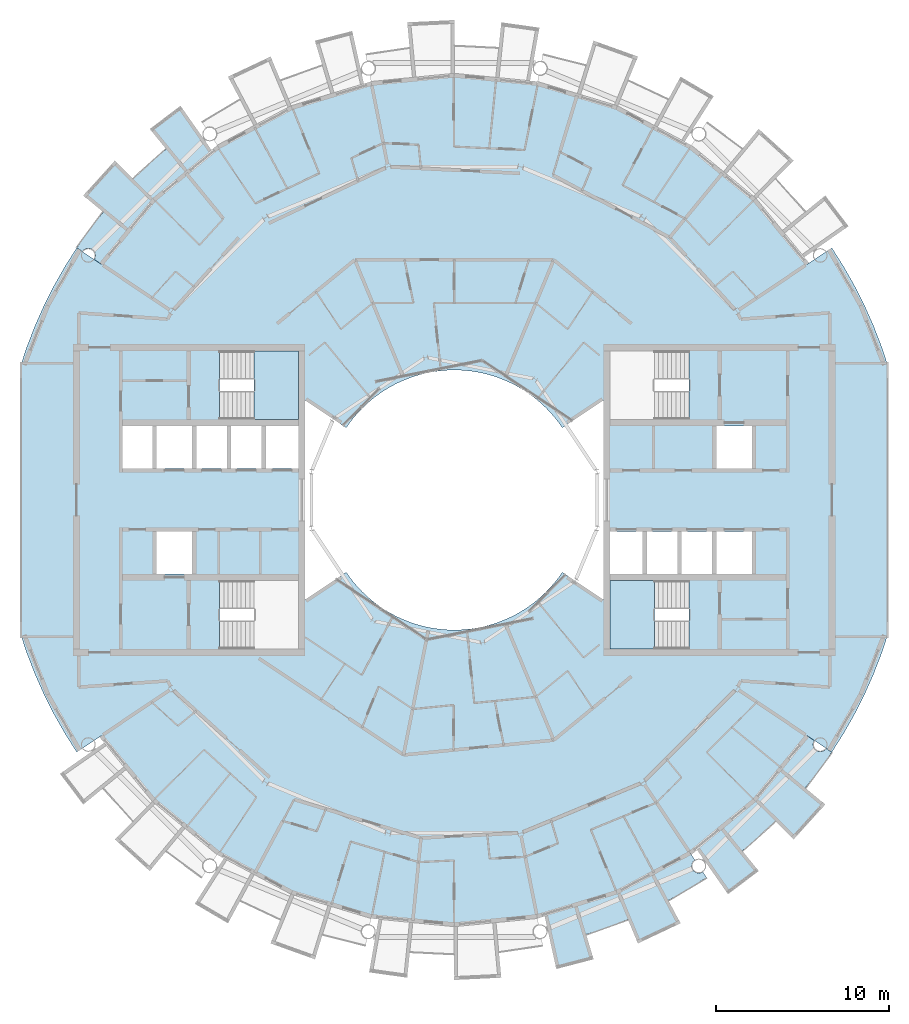
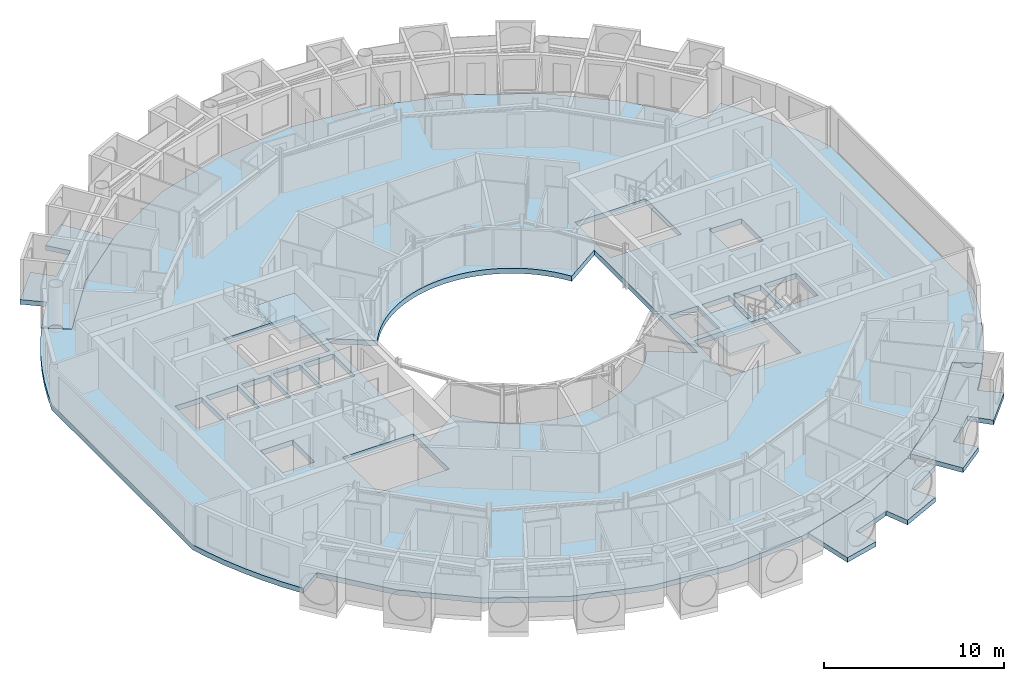
# One storey, part 11 of 27: 6 slabs, 2 elements without a shape of their own.
"""IFC4 building model written with IfcOpenShell, lengths in metres."""

from ifc_helpers import new_model, si_unit, direction, frame, origin, place, context, subcontext, project, spatial, polyline, outline, extrude, material, layer, layer_set, type_object, element, aggregate, save


model = new_model("IFC4")

# Units and contexts
model_context = context("Model", 3, precision=1e-05, world=origin(), true_north=direction((0.0, 1.0)))
body_context = subcontext(model_context, "Body", "Model", "MODEL_VIEW")
ifc_project = project(units=[si_unit("LENGTHUNIT", "METRE"), si_unit("AREAUNIT", "SQUARE_METRE"), si_unit("VOLUMEUNIT", "CUBIC_METRE"), si_unit("PLANEANGLEUNIT", "RADIAN"), si_unit("MASSUNIT", "GRAM", prefix="KILO")], contexts=[model_context])

# Site, building, storey
site_placement = place(None, origin())
site = spatial("IfcSite", under=ifc_project, at=site_placement, CompositionType="ELEMENT")
building_placement = place(site_placement, origin())
building = spatial("IfcBuilding", under=site, at=building_placement, Name="Maasbend Ring Residences", CompositionType="ELEMENT")
storey_placement = place(building_placement, frame((0.0, 0.0, 240.14990234375)))
storey = spatial("IfcBuildingStorey", under=building, at=storey_placement, Name="L69", CompositionType="ELEMENT", Elevation=240.14990234375)

# Stair, slab
ifc_material_1 = material(Name="Concrete C40/50", Category="concrete")
stair_type = type_object("IfcStairType", Name="CORE STAIR 18 RISERS", PredefinedType="HALF_TURN_STAIR", material=ifc_material_1)
stair_1_placement = place(storey_placement, origin())
stair_1 = element("IfcStair", 1, at=stair_1_placement, inside=storey, type_object=stair_type, Name="L69 Exit stair ST-E2", PredefinedType="HALF_TURN_STAIR")
ifc_material_2 = material(Name="Concrete C40/50", Category="concrete")
ifc_layer_1 = layer(ifc_material_2, 0.199951171875)
ifc_layer_set_1 = layer_set([ifc_layer_1], Name="Concrete C40/50")
slab_type_1 = type_object("IfcSlabType", Name="CORE STAIR LANDING 200", PredefinedType="LANDING", material=ifc_layer_set_1)
slab_1_placement = place(storey_placement, frame((0.0, 0.0, 1.3251953125)))
slab_1 = element("IfcSlab", 2, at=slab_1_placement, type_object=slab_type_1, Name="ST-E2 landing 1", PredefinedType="LANDING", context=body_context, shape_type="SweptSolid", body=[
    extrude(outline(polyline([(11.550048828125, -4.64990234375), (9.0, -4.64990234375), (9.0, -8.60009765625), (11.550048828125, -8.60009765625), (11.550048828125, -4.64990234375)])), origin(), (0.0, 0.0, 1.0), 0.199951171875),
])
aggregate(stair_1, [slab_1])

stair_2_placement = place(storey_placement, origin())
stair_2 = element("IfcStair", 3, at=stair_2_placement, inside=storey, type_object=stair_type, Name="L69 Exit stair ST-W2", PredefinedType="HALF_TURN_STAIR")
slab_2_placement = place(storey_placement, frame((0.0, 0.0, 1.3251953125)))
slab_2 = element("IfcSlab", 4, at=slab_2_placement, type_object=slab_type_1, Name="ST-W2 landing 1", PredefinedType="LANDING", context=body_context, shape_type="SweptSolid", body=[
    extrude(outline(polyline([(-11.550048828125, 4.64990234375), (-9.0, 4.64990234375), (-9.0, 8.60009765625), (-11.550048828125, 8.60009765625), (-11.550048828125, 4.64990234375)])), origin(), (0.0, 0.0, 1.0), 0.199951171875),
])
aggregate(stair_2, [slab_2])

# Slabs
ifc_material_3 = material(Name="Concrete C40/50", Category="concrete")
ifc_layer_2 = layer(ifc_material_3, 0.35009765625)
ifc_layer_set_2 = layer_set([ifc_layer_2], Name="Concrete C40/50")
slab_type_2 = type_object("IfcSlabType", Name="Post-tensioned flat plate 350", PredefinedType="FLOOR", material=ifc_layer_set_2)
slab_3_placement = place(storey_placement, frame((0.0, 0.0, -0.349853515625)))
element("IfcSlab", 5, at=slab_3_placement, inside=storey, type_object=slab_type_2, Name="Floor slab L69", PredefinedType="FLOOR", context=body_context, shape_type="SweptSolid", body=[
    extrude(outline(polyline([(21.784423828125, -14.555908203125), (22.472412109375, -13.469482421875), (23.106201171875, -12.3505859375), (23.6845703125, -11.201904296875), (24.20556640625, -10.0263671875), (24.66845703125, -8.826416015625), (25.0, -7.822998046875), (25.0, 7.822998046875), (24.66845703125, 8.826416015625), (24.20556640625, 10.0263671875), (23.6845703125, 11.201904296875), (23.106201171875, 12.3505859375), (22.472412109375, 13.469482421875), (21.784423828125, 14.555908203125), (20.37109375, 13.611572265625), (17.32421875, 17.32421875), (13.611572265625, 20.37109375), (9.375732421875, 22.635009765625), (4.77978515625, 24.029296875), (0.0, 24.5), (-4.77978515625, 24.029296875), (-9.375732421875, 22.635009765625), (-13.611572265625, 20.37109375), (-17.32421875, 17.32421875), (-20.37109375, 13.611572265625), (-21.784423828125, 14.555908203125), (-22.472412109375, 13.469482421875), (-23.106201171875, 12.3505859375), (-23.6845703125, 11.201904296875), (-24.20556640625, 10.0263671875), (-24.66845703125, 8.826416015625), (-25.0, 7.822998046875), (-25.0, -7.822998046875), (-24.66845703125, -8.826416015625), (-24.20556640625, -10.0263671875), (-23.6845703125, -11.201904296875), (-23.106201171875, -12.3505859375), (-22.472412109375, -13.469482421875), (-21.784423828125, -14.555908203125), (-20.37109375, -13.611572265625), (-17.32421875, -17.32421875), (-13.611572265625, -20.37109375), (-13.611572265625, -20.37109375), (-9.375732421875, -22.635009765625), (-9.375732421875, -22.635009765625), (-4.77978515625, -24.029296875), (-4.77978515625, -24.029296875), (0.0, -24.5), (4.77978515625, -24.029296875), (4.77978515625, -24.029296875), (9.375732421875, -22.635009765625), (9.375732421875, -22.635009765625), (13.611572265625, -20.37109375), (13.611572265625, -20.37109375), (17.32421875, -17.32421875), (17.32421875, -17.32421875), (20.37109375, -13.611572265625), (21.784423828125, -14.555908203125)]), holes=[polyline([(15.125, 1.824951171875), (15.125, 4.27490234375), (17.175048828125, 4.27490234375), (17.175048828125, 1.824951171875), (15.125, 1.824951171875)]), polyline([(15.125, -4.27490234375), (15.125, -1.824951171875), (17.175048828125, -1.824951171875), (17.175048828125, -4.27490234375), (15.125, -4.27490234375)]), polyline([(13.125, -4.27490234375), (13.125, -1.824951171875), (14.875, -1.824951171875), (14.875, -4.27490234375), (13.125, -4.27490234375)]), polyline([(13.550048828125, 8.60009765625), (13.550048828125, 4.64990234375), (9.0, 4.64990234375), (9.0, 8.60009765625), (13.550048828125, 8.60009765625)]), polyline([(13.550048828125, -4.64990234375), (13.550048828125, -8.60009765625), (9.0, -8.60009765625), (9.0, -4.64990234375), (13.550048828125, -4.64990234375)]), polyline([(11.125, -4.27490234375), (11.125, -1.824951171875), (12.875, -1.824951171875), (12.875, -4.27490234375), (11.125, -4.27490234375)]), polyline([(9.0, -4.27490234375), (9.0, -1.824951171875), (10.875, -1.824951171875), (10.875, -4.27490234375), (9.0, -4.27490234375)]), polyline([(6.024169921875, 4.4677734375), (6.236083984375, 4.166748046875), (8.60009765625, 5.746337890625), (8.60009765625, -5.746337890625), (6.236083984375, -4.166748046875), (6.024169921875, -4.4677734375), (5.797607421875, -4.7578125), (5.55712890625, -5.03662109375), (5.30322265625, -5.30322265625), (5.03662109375, -5.55712890625), (4.7578125, -5.797607421875), (4.4677734375, -6.024169921875), (4.166748046875, -6.236083984375), (3.855712890625, -6.43310546875), (3.535400390625, -6.614501953125), (3.206787109375, -6.77978515625), (2.8701171875, -6.92919921875), (2.526611328125, -7.0615234375), (2.177001953125, -7.177001953125), (1.822509765625, -7.275146484375), (1.463134765625, -7.35595703125), (1.1005859375, -7.418701171875), (0.735107421875, -7.4638671875), (0.367919921875, -7.490966796875), (0.0, -7.5), (-0.367919921875, -7.490966796875), (-0.735107421875, -7.4638671875), (-1.1005859375, -7.418701171875), (-1.463134765625, -7.35595703125), (-1.822509765625, -7.275146484375), (-2.177001953125, -7.177001953125), (-2.526611328125, -7.0615234375), (-2.8701171875, -6.92919921875), (-3.206787109375, -6.77978515625), (-3.535400390625, -6.614501953125), (-3.855712890625, -6.43310546875), (-4.166748046875, -6.236083984375), (-4.4677734375, -6.024169921875), (-4.7578125, -5.797607421875), (-5.03662109375, -5.55712890625), (-5.30322265625, -5.30322265625), (-5.55712890625, -5.03662109375), (-5.797607421875, -4.7578125), (-6.024169921875, -4.4677734375), (-6.236083984375, -4.166748046875), (-8.60009765625, -5.746337890625), (-8.60009765625, 5.746337890625), (-6.236083984375, 4.166748046875), (-6.024169921875, 4.4677734375), (-5.797607421875, 4.7578125), (-5.55712890625, 5.03662109375), (-5.30322265625, 5.30322265625), (-5.03662109375, 5.55712890625), (-4.7578125, 5.797607421875), (-4.4677734375, 6.024169921875), (-4.166748046875, 6.236083984375), (-3.855712890625, 6.43310546875), (-3.535400390625, 6.614501953125), (-3.206787109375, 6.77978515625), (-2.8701171875, 6.92919921875), (-2.526611328125, 7.0615234375), (-2.177001953125, 7.177001953125), (-1.822509765625, 7.275146484375), (-1.463134765625, 7.35595703125), (-1.1005859375, 7.418701171875), (-0.735107421875, 7.4638671875), (-0.367919921875, 7.490966796875), (0.0, 7.5), (0.367919921875, 7.490966796875), (0.735107421875, 7.4638671875), (1.1005859375, 7.418701171875), (1.463134765625, 7.35595703125), (1.822509765625, 7.275146484375), (2.177001953125, 7.177001953125), (2.526611328125, 7.0615234375), (2.8701171875, 6.92919921875), (3.206787109375, 6.77978515625), (3.535400390625, 6.614501953125), (3.855712890625, 6.43310546875), (4.166748046875, 6.236083984375), (4.4677734375, 6.024169921875), (4.7578125, 5.797607421875), (5.03662109375, 5.55712890625), (5.30322265625, 5.30322265625), (5.55712890625, 5.03662109375), (5.797607421875, 4.7578125), (6.024169921875, 4.4677734375)]), polyline([(-13.550048828125, 4.64990234375), (-13.550048828125, 8.60009765625), (-9.0, 8.60009765625), (-9.0, 4.64990234375), (-13.550048828125, 4.64990234375)]), polyline([(-9.0, -8.60009765625), (-13.550048828125, -8.60009765625), (-13.550048828125, -4.64990234375), (-9.0, -4.64990234375), (-9.0, -8.60009765625)]), polyline([(-9.0, 4.27490234375), (-9.0, 1.824951171875), (-10.875, 1.824951171875), (-10.875, 4.27490234375), (-9.0, 4.27490234375)]), polyline([(-11.125, 4.27490234375), (-11.125, 1.824951171875), (-12.875, 1.824951171875), (-12.875, 4.27490234375), (-11.125, 4.27490234375)]), polyline([(-13.125, 4.27490234375), (-13.125, 1.824951171875), (-14.875, 1.824951171875), (-14.875, 4.27490234375), (-13.125, 4.27490234375)]), polyline([(-15.125, 4.27490234375), (-15.125, 1.824951171875), (-17.175048828125, 1.824951171875), (-17.175048828125, 4.27490234375), (-15.125, 4.27490234375)]), polyline([(-15.125, -1.824951171875), (-15.125, -4.27490234375), (-17.175048828125, -4.27490234375), (-17.175048828125, -1.824951171875), (-15.125, -1.824951171875)]), polyline([(-17.425048828125, 4.27490234375), (-17.425048828125, 1.824951171875), (-19.14990234375, 1.824951171875), (-19.14990234375, 4.27490234375), (-17.425048828125, 4.27490234375)])]), origin(), (0.0, 0.0, 1.0), 0.349853515625),
])
ifc_material_4 = material(Name="Concrete C40/50", Category="concrete")
ifc_layer_3 = layer(ifc_material_4, 0.199951171875)
ifc_layer_set_3 = layer_set([ifc_layer_3], Name="Concrete C40/50")
slab_type_3 = type_object("IfcSlabType", Name="SL-LOGGIA", PredefinedType="FLOOR", material=ifc_layer_set_3)
slab_4_placement = place(storey_placement, frame((0.0, 0.0, -0.349853515625)))
element("IfcSlab", 6, at=slab_4_placement, inside=storey, type_object=slab_type_3, Name="Loggia floor 5", PredefinedType="FLOOR", context=body_context, shape_type="SweptSolid", body=[
    extrude(outline(polyline([(-20.785888671875, 15.949951171875), (-20.2529296875, 16.62109375), (-20.2529296875, 16.62109375), (-20.2529296875, 16.62109375), (-20.2529296875, 16.62109375), (-20.2529296875, 16.62109375), (-20.2529296875, 16.62109375), (-20.2529296875, 16.62109375), (-20.2529296875, 16.62109375), (-20.2529296875, 16.62109375), (-20.2529296875, 16.62109375), (-20.2529296875, 16.62109375), (-20.2529296875, 16.62109375), (-20.2529296875, 16.62109375), (-20.2529296875, 16.62109375), (-20.2529296875, 16.62109375), (-20.2529296875, 16.62109375), (-20.2529296875, 16.62109375), (-21.412109375, 17.572998046875), (-19.5869140625, 19.5869140625), (-18.527099609375, 18.527099609375), (-18.527099609375, 18.527099609375), (-18.52587890625, 18.52587890625), (-18.52587890625, 18.52587890625), (-18.52587890625, 18.52587890625), (-18.52587890625, 18.52587890625), (-18.52587890625, 18.52587890625), (-18.52587890625, 18.52587890625), (-18.52587890625, 18.52587890625), (-18.52587890625, 18.52587890625), (-18.52587890625, 18.52587890625), (-18.52587890625, 18.52587890625), (-18.52587890625, 18.52587890625), (-18.52587890625, 18.52587890625), (-18.52587890625, 18.52587890625), (-18.52587890625, 18.527099609375), (-18.52587890625, 18.527099609375), (-17.909912109375, 19.1220703125), (-17.27490234375, 19.697998046875), (-16.62109375, 20.2529296875), (-16.62109375, 20.2529296875), (-16.62109375, 20.2529296875), (-16.62109375, 20.2529296875), (-16.62109375, 20.2529296875), (-16.62109375, 20.2529296875), (-16.62109375, 20.2529296875), (-16.62109375, 20.2529296875), (-16.62109375, 20.2529296875), (-16.62109375, 20.2529296875), (-16.62109375, 20.2529296875), (-16.62109375, 20.2529296875), (-16.62109375, 20.2529296875), (-16.62109375, 20.2529296875), (-16.62109375, 20.2529296875), (-16.62109375, 20.2529296875), (-16.62109375, 20.2529296875), (-17.572998046875, 21.412109375), (-15.800048828125, 22.751953125), (-13.952880859375, 20.091064453125), (-15.468017578125, 18.847900390625), (-17.323974609375, 17.323974609375), (-17.323974609375, 17.323974609375), (-17.323974609375, 17.323974609375), (-18.847900390625, 15.468017578125), (-20.37109375, 13.611083984375), (-20.781005859375, 13.885986328125), (-20.77587890625, 13.89404296875), (-20.77099609375, 13.903076171875), (-20.76611328125, 13.910888671875), (-20.760986328125, 13.919921875), (-20.756103515625, 13.928955078125), (-20.751953125, 13.93798828125), (-20.748046875, 13.947021484375), (-20.743896484375, 13.9560546875), (-20.739990234375, 13.965087890625), (-20.737060546875, 13.97509765625), (-20.73291015625, 13.98388671875), (-20.72998046875, 13.992919921875), (-20.72802734375, 14.0029296875), (-20.72509765625, 14.012939453125), (-20.722900390625, 14.02197265625), (-20.720947265625, 14.031982421875), (-20.718994140625, 14.0419921875), (-20.717041015625, 14.052001953125), (-20.716064453125, 14.06201171875), (-20.715087890625, 14.072021484375), (-20.714111328125, 14.08203125), (-20.712890625, 14.092041015625), (-20.712890625, 14.10205078125), (-20.712890625, 14.111083984375), (-20.712890625, 14.12109375), (-20.712890625, 14.131103515625), (-20.714111328125, 14.14111328125), (-20.715087890625, 14.15087890625), (-20.716064453125, 14.160888671875), (-20.717041015625, 14.1708984375), (-20.718994140625, 14.180908203125), (-20.720947265625, 14.19091796875), (-20.722900390625, 14.200927734375), (-20.72509765625, 14.2099609375), (-20.72802734375, 14.219970703125), (-20.72998046875, 14.22998046875), (-20.73291015625, 14.239013671875), (-20.737060546875, 14.248046875), (-20.739990234375, 14.258056640625), (-20.743896484375, 14.26708984375), (-20.748046875, 14.27587890625), (-20.751953125, 14.284912109375), (-20.756103515625, 14.2939453125), (-20.760986328125, 14.302978515625), (-20.76611328125, 14.31201171875), (-20.77099609375, 14.320068359375), (-20.77587890625, 14.3291015625), (-20.781005859375, 14.3369140625), (-20.787109375, 14.345947265625), (-20.79296875, 14.35400390625), (-20.799072265625, 14.362060546875), (-20.804931640625, 14.368896484375), (-20.81103515625, 14.376953125), (-20.818115234375, 14.384033203125), (-20.824951171875, 14.39208984375), (-20.83203125, 14.39892578125), (-20.839111328125, 14.406005859375), (-20.845947265625, 14.4130859375), (-20.85400390625, 14.4189453125), (-20.861083984375, 14.426025390625), (-20.868896484375, 14.431884765625), (-20.876953125, 14.43798828125), (-20.885009765625, 14.444091796875), (-20.89306640625, 14.448974609375), (-20.902099609375, 14.455078125), (-20.909912109375, 14.4599609375), (-20.9189453125, 14.465087890625), (-20.927978515625, 14.469970703125), (-20.93701171875, 14.47509765625), (-20.945068359375, 14.47900390625), (-20.955078125, 14.48291015625), (-20.964111328125, 14.487060546875), (-20.972900390625, 14.490966796875), (-20.98193359375, 14.493896484375), (-20.991943359375, 14.4970703125), (-21.0009765625, 14.5), (-21.010986328125, 14.5029296875), (-21.02099609375, 14.506103515625), (-21.030029296875, 14.508056640625), (-21.0400390625, 14.510009765625), (-21.050048828125, 14.511962890625), (-21.06005859375, 14.513916015625), (-21.070068359375, 14.514892578125), (-21.0791015625, 14.51611328125), (-21.089111328125, 14.51708984375), (-21.09912109375, 14.51806640625), (-21.10888671875, 14.51806640625), (-21.118896484375, 14.51806640625), (-21.12890625, 14.51806640625), (-21.138916015625, 14.51806640625), (-21.14892578125, 14.51708984375), (-21.158935546875, 14.51611328125), (-21.1689453125, 14.514892578125), (-21.178955078125, 14.513916015625), (-21.18896484375, 14.511962890625), (-21.198974609375, 14.510009765625), (-21.2080078125, 14.508056640625), (-21.218017578125, 14.506103515625), (-21.22802734375, 14.5029296875), (-21.237060546875, 14.5), (-21.2470703125, 14.4970703125), (-21.256103515625, 14.493896484375), (-21.26611328125, 14.490966796875), (-21.27490234375, 14.487060546875), (-21.283935546875, 14.48291015625), (-21.29296875, 14.47900390625), (-21.302001953125, 14.47509765625), (-21.31103515625, 14.469970703125), (-21.320068359375, 14.465087890625), (-21.327880859375, 14.4599609375), (-21.3369140625, 14.455078125), (-21.344970703125, 14.448974609375), (-21.35302734375, 14.444091796875), (-21.361083984375, 14.43798828125), (-21.368896484375, 14.431884765625), (-21.376953125, 14.426025390625), (-21.385009765625, 14.4189453125), (-21.39208984375, 14.4130859375), (-21.39990234375, 14.406005859375), (-21.406982421875, 14.39892578125), (-21.4140625, 14.39208984375), (-21.419921875, 14.384033203125), (-21.427001953125, 14.376953125), (-21.43408203125, 14.368896484375), (-21.43994140625, 14.362060546875), (-21.446044921875, 14.35400390625), (-21.451904296875, 14.345947265625), (-21.45703125, 14.3369140625), (-21.783935546875, 14.555908203125), (-21.297119140625, 15.260986328125), (-20.785888671875, 15.949951171875)])), origin(), (0.0, 0.0, 1.0), 0.320068359375),
])
slab_5_placement = place(storey_placement, frame((0.0, 0.0, -0.349853515625)))
element("IfcSlab", 7, at=slab_5_placement, inside=storey, type_object=slab_type_3, Name="Loggia floor 1", PredefinedType="FLOOR", context=body_context, shape_type="SweptSolid", body=[
    extrude(outline(polyline([(9.3759765625, -22.635009765625), (11.493896484375, -21.5029296875), (13.611083984375, -20.37109375), (13.611083984375, -20.37109375), (13.611083984375, -20.37109375), (13.885986328125, -20.781005859375), (13.876953125, -20.787109375), (13.868896484375, -20.79296875), (13.861083984375, -20.799072265625), (13.85400390625, -20.804931640625), (13.845947265625, -20.81103515625), (13.839111328125, -20.818115234375), (13.8310546875, -20.824951171875), (13.823974609375, -20.83203125), (13.81689453125, -20.839111328125), (13.81005859375, -20.845947265625), (13.803955078125, -20.85400390625), (13.797119140625, -20.861083984375), (13.791015625, -20.868896484375), (13.784912109375, -20.876953125), (13.779052734375, -20.885009765625), (13.77392578125, -20.89306640625), (13.76806640625, -20.902099609375), (13.762939453125, -20.909912109375), (13.758056640625, -20.9189453125), (13.7529296875, -20.927978515625), (13.748046875, -20.93701171875), (13.743896484375, -20.945068359375), (13.739990234375, -20.955078125), (13.736083984375, -20.964111328125), (13.73193359375, -20.972900390625), (13.72900390625, -20.98193359375), (13.72607421875, -20.991943359375), (13.722900390625, -21.0009765625), (13.719970703125, -21.010986328125), (13.717041015625, -21.02099609375), (13.715087890625, -21.030029296875), (13.712890625, -21.0400390625), (13.7109375, -21.050048828125), (13.708984375, -21.06005859375), (13.7080078125, -21.070068359375), (13.70703125, -21.0791015625), (13.7060546875, -21.089111328125), (13.705078125, -21.09912109375), (13.705078125, -21.10888671875), (13.705078125, -21.118896484375), (13.705078125, -21.12890625), (13.705078125, -21.138916015625), (13.7060546875, -21.14892578125), (13.70703125, -21.158935546875), (13.7080078125, -21.1689453125), (13.708984375, -21.178955078125), (13.7109375, -21.18896484375), (13.712890625, -21.198974609375), (13.715087890625, -21.2080078125), (13.717041015625, -21.218017578125), (13.719970703125, -21.22802734375), (13.722900390625, -21.237060546875), (13.72607421875, -21.2470703125), (13.72900390625, -21.256103515625), (13.73193359375, -21.26611328125), (13.736083984375, -21.27490234375), (13.739990234375, -21.283935546875), (13.743896484375, -21.29296875), (13.748046875, -21.302001953125), (13.7529296875, -21.31103515625), (13.758056640625, -21.320068359375), (13.762939453125, -21.327880859375), (13.76806640625, -21.3369140625), (13.77392578125, -21.344970703125), (13.779052734375, -21.35302734375), (13.784912109375, -21.361083984375), (13.791015625, -21.368896484375), (13.797119140625, -21.376953125), (13.803955078125, -21.385009765625), (13.81005859375, -21.39208984375), (13.81689453125, -21.39990234375), (13.823974609375, -21.406982421875), (13.8310546875, -21.4140625), (13.839111328125, -21.419921875), (13.845947265625, -21.427001953125), (13.85400390625, -21.43408203125), (13.861083984375, -21.43994140625), (13.868896484375, -21.446044921875), (13.876953125, -21.451904296875), (13.885986328125, -21.45703125), (13.89404296875, -21.462890625), (13.903076171875, -21.468017578125), (13.910888671875, -21.472900390625), (13.919921875, -21.47802734375), (13.928955078125, -21.48193359375), (13.93798828125, -21.487060546875), (13.947021484375, -21.490966796875), (13.9560546875, -21.4951171875), (13.965087890625, -21.4990234375), (13.97509765625, -21.501953125), (13.98388671875, -21.5048828125), (13.992919921875, -21.508056640625), (14.0029296875, -21.510986328125), (14.012939453125, -21.513916015625), (14.02197265625, -21.51611328125), (14.031982421875, -21.51806640625), (14.0419921875, -21.52001953125), (14.052001953125, -21.52099609375), (14.06201171875, -21.52294921875), (14.072021484375, -21.52392578125), (14.08203125, -21.52490234375), (14.092041015625, -21.52490234375), (14.10205078125, -21.52587890625), (14.111083984375, -21.52587890625), (14.12109375, -21.52587890625), (14.131103515625, -21.52490234375), (14.14111328125, -21.52490234375), (14.15087890625, -21.52392578125), (14.160888671875, -21.52294921875), (14.1708984375, -21.52099609375), (14.180908203125, -21.52001953125), (14.19091796875, -21.51806640625), (14.200927734375, -21.51611328125), (14.2099609375, -21.513916015625), (14.219970703125, -21.510986328125), (14.22998046875, -21.508056640625), (14.239013671875, -21.5048828125), (14.248046875, -21.501953125), (14.258056640625, -21.4990234375), (14.26708984375, -21.4951171875), (14.27587890625, -21.490966796875), (14.284912109375, -21.487060546875), (14.2939453125, -21.48193359375), (14.302978515625, -21.47802734375), (14.31201171875, -21.472900390625), (14.320068359375, -21.468017578125), (14.3291015625, -21.462890625), (14.3369140625, -21.45703125), (14.555908203125, -21.783935546875), (14.555908203125, -21.784912109375), (14.555908203125, -21.784912109375), (13.8349609375, -22.2490234375), (13.8349609375, -22.2490234375), (13.10009765625, -22.68994140625), (13.10009765625, -22.68994140625), (12.35107421875, -23.10595703125), (12.35107421875, -23.10595703125), (12.35107421875, -23.10595703125), (12.35107421875, -23.10595703125), (12.35107421875, -23.10595703125), (12.35107421875, -23.10595703125), (12.35107421875, -23.10595703125), (12.35107421875, -23.10595703125), (12.35107421875, -23.10595703125), (12.35107421875, -23.10595703125), (12.35107421875, -23.10595703125), (12.35107421875, -23.10693359375), (12.35107421875, -23.10693359375), (12.35107421875, -23.10693359375), (12.35107421875, -23.10693359375), (12.35107421875, -23.10693359375), (12.35107421875, -23.10693359375), (13.05810546875, -24.428955078125), (13.05810546875, -24.428955078125), (13.05810546875, -24.428955078125), (10.60009765625, -25.591064453125), (10.60009765625, -25.591064453125), (10.60009765625, -25.591064453125), (10.02587890625, -24.2060546875), (10.02587890625, -24.2060546875), (10.02587890625, -24.2060546875), (10.02587890625, -24.2060546875), (10.02587890625, -24.2060546875), (10.02587890625, -24.2060546875), (10.02587890625, -24.2060546875), (10.02587890625, -24.2060546875), (10.02587890625, -24.2060546875), (10.02587890625, -24.2060546875), (10.02587890625, -24.2060546875), (10.02587890625, -24.2060546875), (10.02587890625, -24.2060546875), (10.02587890625, -24.2060546875), (10.02587890625, -24.2060546875), (10.02587890625, -24.2060546875), (10.02587890625, -24.2060546875), (9.22900390625, -24.52099609375), (9.22900390625, -24.52099609375), (8.422119140625, -24.81005859375), (8.422119140625, -24.81005859375), (7.60595703125, -25.072021484375), (7.60595703125, -25.072021484375), (7.60595703125, -25.072021484375), (7.60595703125, -25.072021484375), (7.60595703125, -25.072021484375), (7.60595703125, -25.072021484375), (7.60595703125, -25.072021484375), (7.60595703125, -25.072021484375), (7.60595703125, -25.072021484375), (7.60595703125, -25.072021484375), (7.60595703125, -25.072021484375), (7.60595703125, -25.072021484375), (7.60595703125, -25.072021484375), (7.60595703125, -25.072021484375), (7.60595703125, -25.072021484375), (7.60595703125, -25.072021484375), (7.60595703125, -25.072021484375), (8.041015625, -26.507080078125), (8.041015625, -26.507080078125), (8.041015625, -26.507080078125), (5.89111328125, -27.06591796875), (5.89111328125, -27.06591796875), (5.89111328125, -27.06591796875), (5.201904296875, -23.90087890625), (5.201904296875, -23.90087890625), (5.201904296875, -23.90087890625), (7.077880859375, -23.33203125), (9.3759765625, -22.635009765625), (9.3759765625, -22.635009765625), (9.3759765625, -22.635009765625)])), origin(), (0.0, 0.0, 1.0), 0.320068359375),
])
slab_6_placement = place(storey_placement, frame((0.0, 0.0, -0.349853515625)))
element("IfcSlab", 8, at=slab_6_placement, inside=storey, type_object=slab_type_3, Name="Loggia floor 4", PredefinedType="FLOOR", context=body_context, shape_type="SweptSolid", body=[
    extrude(outline(polyline([(17.323974609375, -17.323974609375), (18.847900390625, -15.468017578125), (20.37109375, -13.611083984375), (20.781005859375, -13.885986328125), (20.77587890625, -13.89404296875), (20.77099609375, -13.903076171875), (20.76611328125, -13.910888671875), (20.760986328125, -13.919921875), (20.756103515625, -13.928955078125), (20.751953125, -13.93798828125), (20.748046875, -13.947021484375), (20.743896484375, -13.9560546875), (20.739990234375, -13.965087890625), (20.737060546875, -13.97509765625), (20.73291015625, -13.98388671875), (20.72998046875, -13.992919921875), (20.72802734375, -14.0029296875), (20.72509765625, -14.012939453125), (20.722900390625, -14.02197265625), (20.720947265625, -14.031982421875), (20.718994140625, -14.0419921875), (20.717041015625, -14.052001953125), (20.716064453125, -14.06201171875), (20.715087890625, -14.072021484375), (20.714111328125, -14.08203125), (20.712890625, -14.092041015625), (20.712890625, -14.10205078125), (20.712890625, -14.111083984375), (20.712890625, -14.12109375), (20.712890625, -14.131103515625), (20.714111328125, -14.14111328125), (20.715087890625, -14.15087890625), (20.716064453125, -14.160888671875), (20.717041015625, -14.1708984375), (20.718994140625, -14.180908203125), (20.720947265625, -14.19091796875), (20.722900390625, -14.200927734375), (20.72509765625, -14.2099609375), (20.72802734375, -14.219970703125), (20.72998046875, -14.22998046875), (20.73291015625, -14.239013671875), (20.737060546875, -14.248046875), (20.739990234375, -14.258056640625), (20.743896484375, -14.26708984375), (20.748046875, -14.27587890625), (20.751953125, -14.284912109375), (20.756103515625, -14.2939453125), (20.760986328125, -14.302978515625), (20.76611328125, -14.31201171875), (20.77099609375, -14.320068359375), (20.77587890625, -14.3291015625), (20.781005859375, -14.3369140625), (20.787109375, -14.345947265625), (20.79296875, -14.35400390625), (20.799072265625, -14.362060546875), (20.804931640625, -14.368896484375), (20.81103515625, -14.376953125), (20.818115234375, -14.384033203125), (20.824951171875, -14.39208984375), (20.83203125, -14.39892578125), (20.839111328125, -14.406005859375), (20.845947265625, -14.4130859375), (20.85400390625, -14.4189453125), (20.861083984375, -14.426025390625), (20.868896484375, -14.431884765625), (20.876953125, -14.43798828125), (20.885009765625, -14.444091796875), (20.89306640625, -14.448974609375), (20.902099609375, -14.455078125), (20.909912109375, -14.4599609375), (20.9189453125, -14.465087890625), (20.927978515625, -14.469970703125), (20.93701171875, -14.47509765625), (20.945068359375, -14.47900390625), (20.955078125, -14.48291015625), (20.964111328125, -14.487060546875), (20.972900390625, -14.490966796875), (20.98193359375, -14.493896484375), (20.991943359375, -14.4970703125), (21.0009765625, -14.5), (21.010986328125, -14.5029296875), (21.02099609375, -14.506103515625), (21.030029296875, -14.508056640625), (21.0400390625, -14.510009765625), (21.050048828125, -14.511962890625), (21.06005859375, -14.513916015625), (21.070068359375, -14.514892578125), (21.0791015625, -14.51611328125), (21.089111328125, -14.51708984375), (21.09912109375, -14.51806640625), (21.10888671875, -14.51806640625), (21.118896484375, -14.51806640625), (21.12890625, -14.51806640625), (21.138916015625, -14.51806640625), (21.14892578125, -14.51708984375), (21.158935546875, -14.51611328125), (21.1689453125, -14.514892578125), (21.178955078125, -14.513916015625), (21.18896484375, -14.511962890625), (21.198974609375, -14.510009765625), (21.2080078125, -14.508056640625), (21.218017578125, -14.506103515625), (21.22802734375, -14.5029296875), (21.237060546875, -14.5), (21.2470703125, -14.4970703125), (21.256103515625, -14.493896484375), (21.26611328125, -14.490966796875), (21.27490234375, -14.487060546875), (21.283935546875, -14.48291015625), (21.29296875, -14.47900390625), (21.302001953125, -14.47509765625), (21.31103515625, -14.469970703125), (21.320068359375, -14.465087890625), (21.327880859375, -14.4599609375), (21.3369140625, -14.455078125), (21.344970703125, -14.448974609375), (21.35302734375, -14.444091796875), (21.361083984375, -14.43798828125), (21.368896484375, -14.431884765625), (21.376953125, -14.426025390625), (21.385009765625, -14.4189453125), (21.39208984375, -14.4130859375), (21.39990234375, -14.406005859375), (21.406982421875, -14.39892578125), (21.4140625, -14.39208984375), (21.419921875, -14.384033203125), (21.427001953125, -14.376953125), (21.43408203125, -14.368896484375), (21.43994140625, -14.362060546875), (21.446044921875, -14.35400390625), (21.451904296875, -14.345947265625), (21.45703125, -14.3369140625), (21.783935546875, -14.555908203125), (21.297119140625, -15.260986328125), (20.785888671875, -15.949951171875), (20.2529296875, -16.62109375), (20.2529296875, -16.62109375), (20.2529296875, -16.62109375), (20.2529296875, -16.62109375), (20.2529296875, -16.62109375), (20.2529296875, -16.62109375), (20.2529296875, -16.62109375), (20.2529296875, -16.62109375), (20.2529296875, -16.62109375), (20.2529296875, -16.62109375), (20.2529296875, -16.62109375), (20.2529296875, -16.62109375), (20.2529296875, -16.62109375), (20.2529296875, -16.62109375), (20.2529296875, -16.62109375), (20.2529296875, -16.62109375), (20.2529296875, -16.62109375), (21.412109375, -17.572998046875), (19.5869140625, -19.5869140625), (18.527099609375, -18.527099609375), (18.527099609375, -18.527099609375), (18.52587890625, -18.52587890625), (18.52587890625, -18.52587890625), (18.52587890625, -18.52587890625), (18.52587890625, -18.52587890625), (18.52587890625, -18.52587890625), (18.52587890625, -18.52587890625), (18.52587890625, -18.52587890625), (18.52587890625, -18.52587890625), (18.52587890625, -18.52587890625), (18.52587890625, -18.52587890625), (18.52587890625, -18.52587890625), (18.52587890625, -18.52587890625), (18.52587890625, -18.52587890625), (18.52587890625, -18.527099609375), (18.52587890625, -18.527099609375), (17.909912109375, -19.1220703125), (17.27490234375, -19.697998046875), (16.62109375, -20.2529296875), (16.62109375, -20.2529296875), (16.62109375, -20.2529296875), (16.62109375, -20.2529296875), (16.62109375, -20.2529296875), (16.62109375, -20.2529296875), (16.62109375, -20.2529296875), (16.62109375, -20.2529296875), (16.62109375, -20.2529296875), (16.62109375, -20.2529296875), (16.62109375, -20.2529296875), (16.62109375, -20.2529296875), (16.62109375, -20.2529296875), (16.62109375, -20.2529296875), (16.62109375, -20.2529296875), (16.62109375, -20.2529296875), (16.62109375, -20.2529296875), (17.572998046875, -21.412109375), (15.800048828125, -22.751953125), (13.952880859375, -20.091064453125), (15.468017578125, -18.847900390625), (17.323974609375, -17.323974609375), (17.323974609375, -17.323974609375), (17.323974609375, -17.323974609375)])), origin(), (0.0, 0.0, 1.0), 0.320068359375),
])

save(model, "model.ifc")
